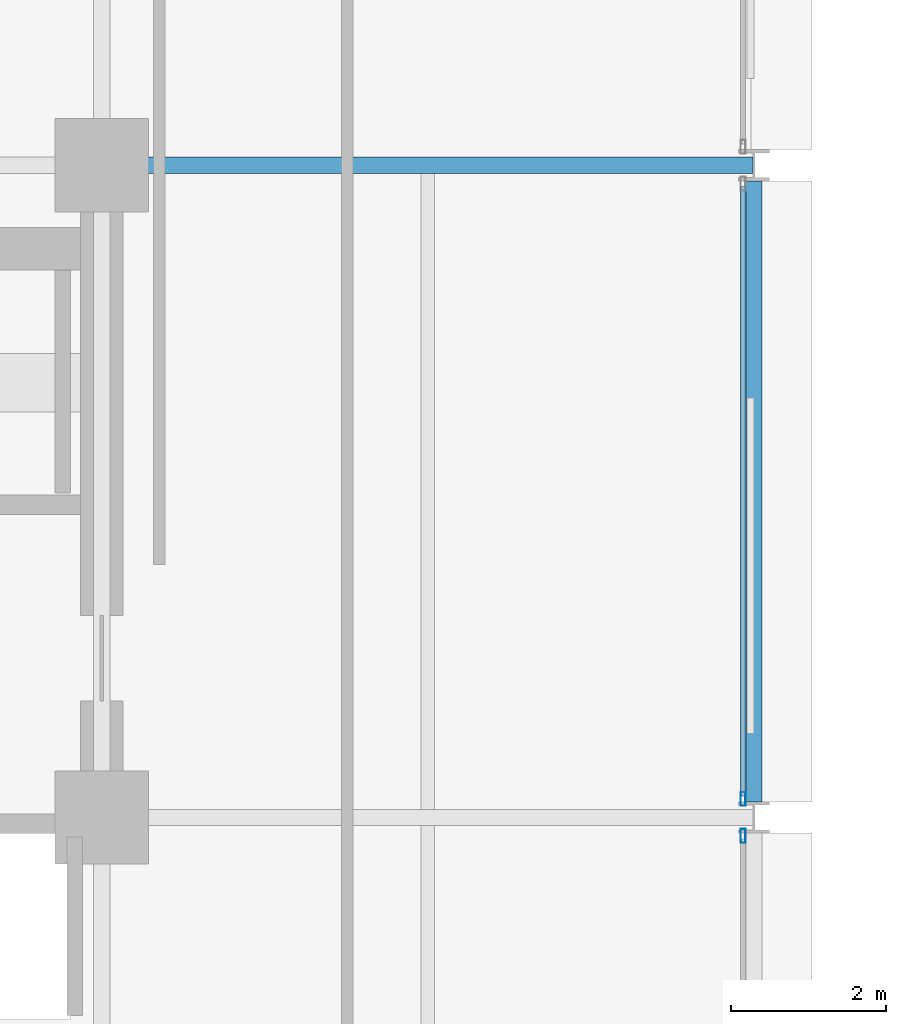
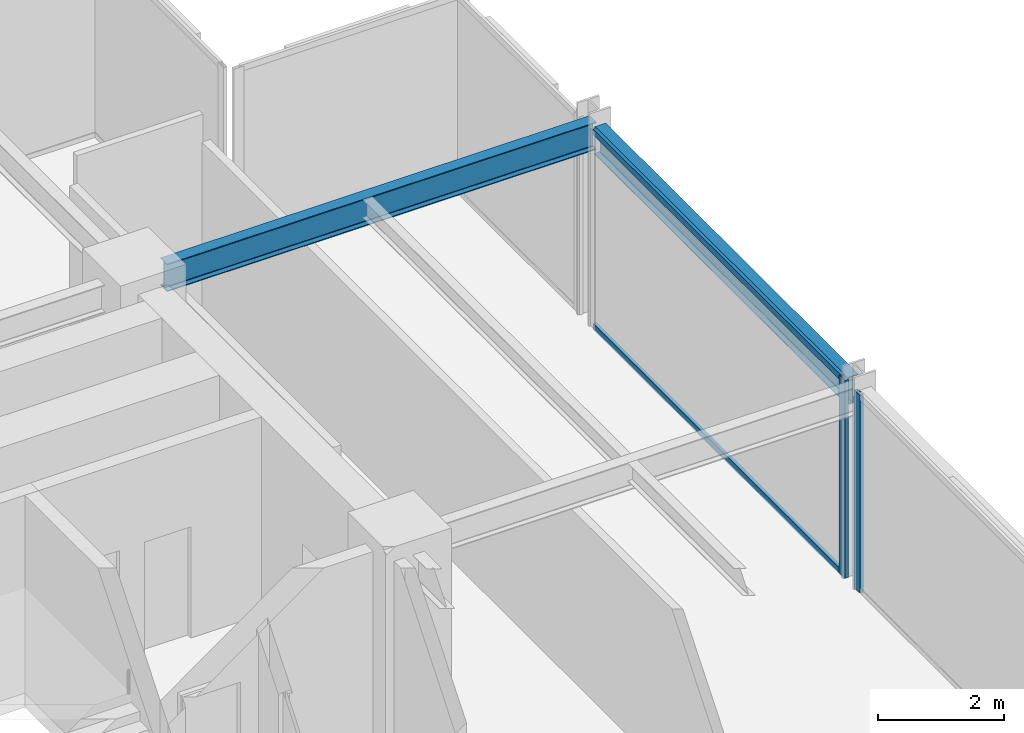
# One storey, part 27 of 39: 4 members, 2 beams, 2 elements without a shape of their own.
"""IFC4 building model written with IfcOpenShell, lengths in metres."""

from ifc_helpers import new_model, si_unit, direction, frame, origin, origin_2d, place, context, subcontext, project, spatial, hollow_rectangle, i_section, extrude, material, layer, layer_set, material_profile, profile_set, type_object, element, aggregate, save


model = new_model("IFC4")

# Units and contexts
model_context = context("Model", 3, precision=1e-05, world=origin(), true_north=direction((0.0, 1.0)))
body_context = subcontext(model_context, "Body", "Model", "MODEL_VIEW")
ifc_project = project(units=[si_unit("LENGTHUNIT", "METRE"), si_unit("AREAUNIT", "SQUARE_METRE"), si_unit("VOLUMEUNIT", "CUBIC_METRE"), si_unit("PLANEANGLEUNIT", "RADIAN"), si_unit("MASSUNIT", "GRAM", prefix="KILO")], contexts=[model_context])

# Site, building, storey
site_placement = place(None, origin())
site = spatial("IfcSite", under=ifc_project, at=site_placement, CompositionType="ELEMENT")
building_placement = place(site_placement, origin())
building = spatial("IfcBuilding", under=site, at=building_placement, Name="Nerrivon Quay Data Exchange", CompositionType="ELEMENT")
storey_placement = place(building_placement, frame((0.0, 0.0, 92.60009765625)))
storey = spatial("IfcBuildingStorey", under=building, at=storey_placement, Name="L21", CompositionType="ELEMENT", Elevation=92.60009765625)

# Beams
ifc_material_1 = material(Name="Steel Grade 350", Category="steel")
ifc_material_profile_1 = material_profile(ifc_material_1, i_section(OverallWidth=0.208984375, OverallDepth=0.532958984375, WebThickness=0.01025390625, FlangeThickness=0.015625, FilletRadius=0.013916015625, at=origin_2d()), Name="530UB92.4")
ifc_profile_set_1 = profile_set([ifc_material_profile_1], Name="Steel Grade 350")
beam_type_1 = type_object("IfcBeamType", Name="BM-G3-530UB92", PredefinedType="BEAM", material=ifc_profile_set_1)
beam_1_placement = place(storey_placement, frame((17.340087890625, 42.0, 3.558349609375), z_axis=(1.0, 0.0, 0.0), x_axis=(0.0, 1.0, 0.0)))
element("IfcBeam", 1, at=beam_1_placement, inside=storey, type_object=beam_type_1, Name="L21 EW Girder Y=42.0 (16.8..25.2)", PredefinedType="BEAM", context=body_context, shape_type="SweptSolid", body=[
    extrude(i_section(OverallWidth=0.208984375, OverallDepth=0.532958984375, WebThickness=0.01025390625, FlangeThickness=0.015625, FilletRadius=0.013916015625, at=origin_2d()), origin(), (0.0, 0.0, 1.0), 7.847412109375),
])
ifc_material_profile_2 = material_profile(ifc_material_1, i_section(OverallWidth=0.208984375, OverallDepth=0.528076171875, WebThickness=0.009521484375, FlangeThickness=0.01318359375, FilletRadius=0.013916015625, at=origin_2d()), Name="530UB82.0")
ifc_profile_set_2 = profile_set([ifc_material_profile_2], Name="Steel Grade 350")
beam_type_2 = type_object("IfcBeamType", Name="BM-G4-530UB82", PredefinedType="BEAM", material=ifc_profile_set_2)
beam_2_placement = place(storey_placement, frame((25.199951171875, 33.800048828125, 3.560791015625), z_axis=(0.0, 1.0, 0.0), x_axis=(-1.0, 0.0, 0.0)))
element("IfcBeam", 2, at=beam_2_placement, inside=storey, type_object=beam_type_2, Name="L21 NS Girder X=25.2 (33.6..42.0)", PredefinedType="BEAM", context=body_context, shape_type="SweptSolid", body=[
    extrude(i_section(OverallWidth=0.208984375, OverallDepth=0.528076171875, WebThickness=0.009521484375, FlangeThickness=0.01318359375, FilletRadius=0.013916015625, at=origin_2d()), origin(), (0.0, 0.0, 1.0), 8.0),
])

# Curtain wall, member
ifc_material_2 = material(Name="Anodised aluminium 6063-T6", Category="aluminium")
ifc_layer = layer(ifc_material_2, 0.2099609375)
ifc_layer_set = layer_set([ifc_layer], Name="Anodised aluminium 6063-T6")
curtain_wall_type = type_object("IfcCurtainWallType", Name="CW-SYS-02", PredefinedType="NOTDEFINED", material=ifc_layer_set)
curtain_wall_1_placement = place(storey_placement, origin())
curtain_wall_1 = element("IfcCurtainWall", 3, at=curtain_wall_1_placement, inside=storey, type_object=curtain_wall_type, Name="L21 Unitised Curtain Wall 30", PredefinedType="NOTDEFINED")
ifc_material_profile_3 = material_profile(ifc_material_2, hollow_rectangle(XDim=0.06494140625, YDim=0.179931640625, WallThickness=0.00341796875, at=origin_2d()), Name="ALU-MULL-180x65")
ifc_profile_set_3 = profile_set([ifc_material_profile_3], Name="Anodised aluminium 6063-T6")
member_type_1 = type_object("IfcMemberType", Name="CWM-180x65", PredefinedType="MULLION", material=ifc_profile_set_3)
member_1_placement = place(storey_placement, frame((25.06005859375, 33.83740234375, 0.0), z_axis=(0.0, 0.0, 1.0), x_axis=(1.0, 0.0, 0.0)))
member_1 = element("IfcMember", 4, at=member_1_placement, type_object=member_type_1, Name="CW02 mullion 2", PredefinedType="MULLION", context=body_context, shape_type="SweptSolid", body=[
    extrude(hollow_rectangle(XDim=0.06494140625, YDim=0.179931640625, WallThickness=0.00341796875, at=origin_2d()), origin(), (0.0, 0.0, 1.0), 3.824951171875),
])

curtain_wall_2_placement = place(storey_placement, origin())
curtain_wall_2 = element("IfcCurtainWall", 5, at=curtain_wall_2_placement, inside=storey, type_object=curtain_wall_type, Name="L21 Unitised Curtain Wall 31", PredefinedType="NOTDEFINED")
member_2_placement = place(storey_placement, frame((25.06005859375, 33.362548828125, 0.0), z_axis=(0.0, 0.0, 1.0), x_axis=(1.0, 0.0, 0.0)))
member_2 = element("IfcMember", 6, at=member_2_placement, type_object=member_type_1, Name="CW02 mullion 1", PredefinedType="MULLION", context=body_context, shape_type="SweptSolid", body=[
    extrude(hollow_rectangle(XDim=0.06494140625, YDim=0.179931640625, WallThickness=0.00341796875, at=origin_2d()), origin(), (0.0, 0.0, 1.0), 3.824951171875),
])
aggregate(curtain_wall_2, [member_2])

# Member
ifc_material_profile_4 = material_profile(ifc_material_2, hollow_rectangle(XDim=0.06005859375, YDim=0.1201171875, WallThickness=0.003173828125, at=origin_2d()), Name="ALU-TRAN-120x60")
ifc_profile_set_4 = profile_set([ifc_material_profile_4], Name="Anodised aluminium 6063-T6")
member_type_2 = type_object("IfcMemberType", Name="CWT-120x60", PredefinedType="USERDEFINED", material=ifc_profile_set_4)
member_3_placement = place(storey_placement, frame((25.06005859375, 41.72509765625, 0.032470703125), z_axis=(0.0, -1.0, 0.0), x_axis=(1.0, 0.0, 0.0)))
member_3 = element("IfcMember", 7, at=member_3_placement, type_object=member_type_2, Name="CW02 transom 1.1", ObjectType="TRANSOM", PredefinedType="USERDEFINED", context=body_context, shape_type="SweptSolid", body=[
    extrude(hollow_rectangle(XDim=0.06005859375, YDim=0.1201171875, WallThickness=0.003173828125, at=origin_2d()), origin(), (0.0, 0.0, 1.0), 7.85009765625),
])

member_4_placement = place(storey_placement, frame((25.06005859375, 41.72509765625, 3.79248046875), z_axis=(0.0, -1.0, 0.0), x_axis=(1.0, 0.0, 0.0)))
member_4 = element("IfcMember", 8, at=member_4_placement, type_object=member_type_2, Name="CW02 transom 1.2", ObjectType="TRANSOM", PredefinedType="USERDEFINED", context=body_context, shape_type="SweptSolid", body=[
    extrude(hollow_rectangle(XDim=0.06005859375, YDim=0.1201171875, WallThickness=0.003173828125, at=origin_2d()), origin(), (0.0, 0.0, 1.0), 7.85009765625),
])

aggregate(curtain_wall_1, [member_1, member_3, member_4])

save(model, "model.ifc")
